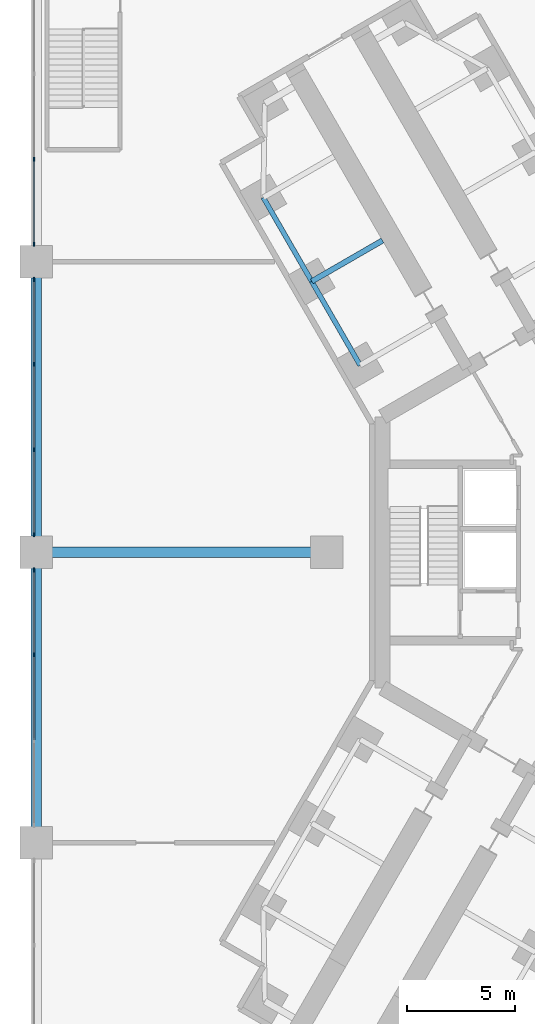
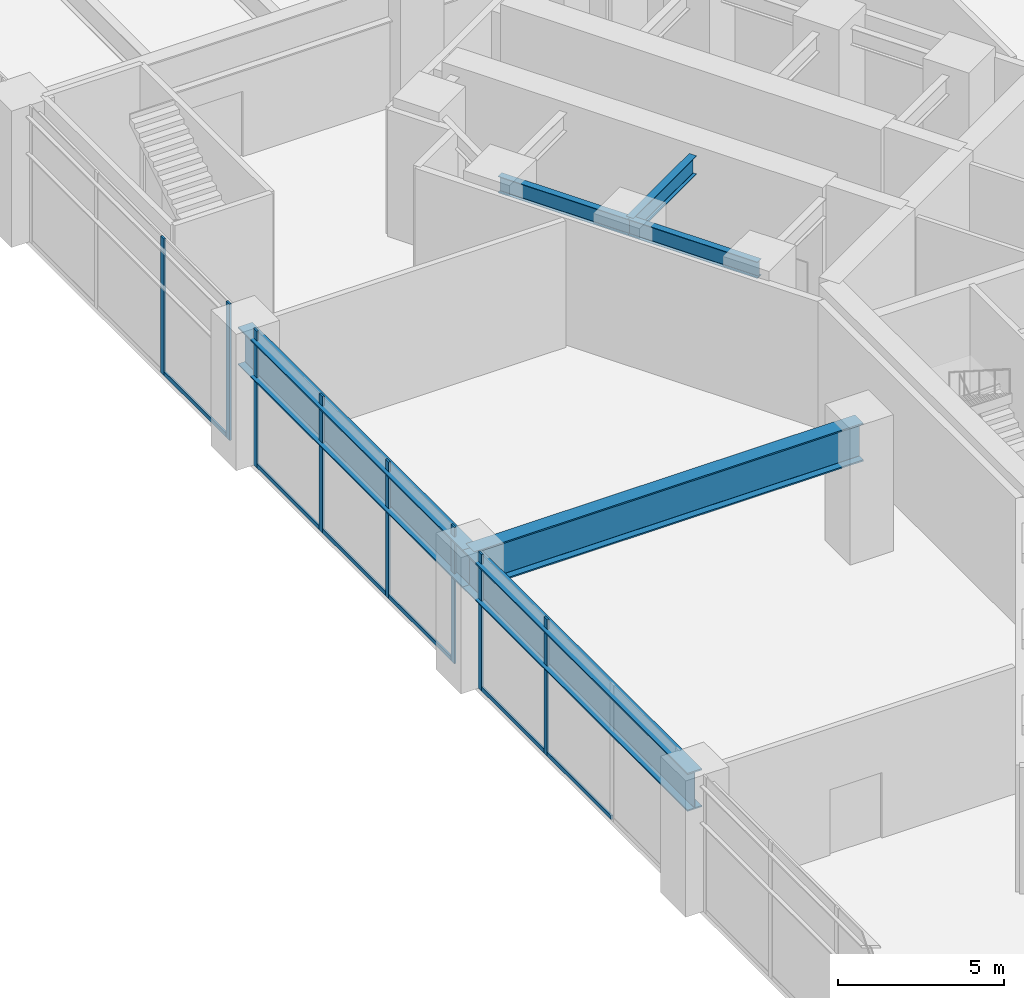
# One storey, part 6 of 32: 14 members, 6 beams, 3 elements without a shape of their own.
"""IFC4 building model written with IfcOpenShell, lengths in metres."""

from ifc_helpers import new_model, si_unit, direction, frame, origin, origin_2d, place, context, subcontext, project, spatial, rectangle, i_section, extrude, material, material_profile, profile_set, type_object, element, aggregate, save


model = new_model("IFC4")

# Units and contexts
model_context = context("Model", 3, precision=1e-05, world=origin(), true_north=direction((0.0, 1.0)))
body_context = subcontext(model_context, "Body", "Model", "MODEL_VIEW")
ifc_project = project(units=[si_unit("LENGTHUNIT", "METRE"), si_unit("AREAUNIT", "SQUARE_METRE"), si_unit("VOLUMEUNIT", "CUBIC_METRE"), si_unit("PLANEANGLEUNIT", "RADIAN"), si_unit("MASSUNIT", "GRAM", prefix="KILO")], contexts=[model_context])

# Site, building, storey
site_placement = place(None, origin())
site = spatial("IfcSite", under=ifc_project, at=site_placement, CompositionType="ELEMENT")
building_placement = place(site_placement, origin())
building = spatial("IfcBuilding", under=site, at=building_placement, Name="Upepo Twin Towers", CompositionType="ELEMENT")
storey_placement = place(building_placement, frame((0.0, 0.0, 5.5)))
storey = spatial("IfcBuildingStorey", under=building, at=storey_placement, Name="L01", CompositionType="ELEMENT", Elevation=5.5)

# Beams
ifc_material_1 = material(Name="Steel S355", Category="steel")
ifc_material_profile_1 = material_profile(ifc_material_1, i_section(OverallWidth=0.5, OverallDepth=1.39990234375, WebThickness=0.02490234375, FlangeThickness=0.050048828125, FilletRadius=0.008056640625, at=origin_2d()), Name="PG 1400x500x25x50")
ifc_profile_set_1 = profile_set([ifc_material_profile_1], Name="Steel S355")
beam_type_1 = type_object("IfcBeamType", Name="Beam PG 1400x500x25x50", PredefinedType="BEAM", material=ifc_profile_set_1)
for number, where, z_axis, x_axis, name in (
    (1, (-27.0, 0.0, 3.949951171875), (1.0, 0.0, 0.0), (0.0, 1.0, 0.0), "Podium girder D/1-2"),
    (2, (-27.0, -13.5, 3.949951171875), (0.0, 1.0, 0.0), (-1.0, 0.0, 0.0), "Podium girder 1/C-D"),
    (3, (-27.0, 0.0, 3.949951171875), (0.0, 1.0, 0.0), (-1.0, 0.0, 0.0), "Podium girder 1/D-E"),
):
    element("IfcBeam", number, at=place(storey_placement, frame(where, z_axis=z_axis, x_axis=x_axis)), inside=storey, type_object=beam_type_1, Name=name, PredefinedType="BEAM", context=body_context, shape_type="SweptSolid", body=[
        extrude(i_section(OverallWidth=0.5, OverallDepth=1.39990234375, WebThickness=0.02490234375, FlangeThickness=0.050048828125, FilletRadius=0.008056640625, at=origin_2d()), origin(), (0.0, 0.0, 1.0), 13.5),
    ])
ifc_material_2 = material(Name="Steel S355", Category="steel")
ifc_material_profile_2 = material_profile(ifc_material_2, i_section(OverallWidth=0.228271484375, OverallDepth=0.607666015625, WebThickness=0.010986328125, FlangeThickness=0.017333984375, FilletRadius=0.0126953125, at=origin_2d()), Name="UB 610x229x113")
ifc_profile_set_2 = profile_set([ifc_material_profile_2], Name="Steel S355")
beam_type_2 = type_object("IfcBeamType", Name="Beam UB 610x229x113", PredefinedType="BEAM", material=ifc_profile_set_2)
beam_1_placement = place(storey_placement, frame((-11.946044921875, 8.69140625, 4.34619140625), z_axis=(-0.500013631625, 0.866017533419, 0.0), x_axis=(-0.866017533419, -0.500013631625, 0.0)))
element("IfcBeam", 4, at=beam_1_placement, inside=storey, type_object=beam_type_2, Name="T1 edge beam BL 13.5-18.0", PredefinedType="BEAM", context=body_context, shape_type="SweptSolid", body=[
    extrude(i_section(OverallWidth=0.228271484375, OverallDepth=0.607666015625, WebThickness=0.010986328125, FlangeThickness=0.017333984375, FilletRadius=0.0126953125, at=origin_2d()), origin(), (0.0, 0.0, 1.0), 4.499755859375),
])
beam_2_placement = place(storey_placement, frame((-14.196044921875, 12.58837890625, 4.34619140625), z_axis=(-0.499990139034, 0.866031096941, 0.0), x_axis=(-0.866031096941, -0.499990139034, 0.0)))
element("IfcBeam", 5, at=beam_2_placement, inside=storey, type_object=beam_type_2, Name="T1 edge beam BL 18.0-22.5", PredefinedType="BEAM", context=body_context, shape_type="SweptSolid", body=[
    extrude(i_section(OverallWidth=0.228271484375, OverallDepth=0.607666015625, WebThickness=0.010986328125, FlangeThickness=0.017333984375, FilletRadius=0.0126953125, at=origin_2d()), origin(), (0.0, 0.0, 1.0), 4.5),
])
ifc_material_3 = material(Name="Steel S355", Category="steel")
ifc_material_profile_3 = material_profile(ifc_material_3, i_section(OverallWidth=0.253662109375, OverallDepth=0.68359375, WebThickness=0.012451171875, FlangeThickness=0.01904296875, FilletRadius=0.01513671875, at=origin_2d()), Name="UB 686x254x140")
ifc_profile_set_3 = profile_set([ifc_material_profile_3], Name="Steel S355")
beam_type_3 = type_object("IfcBeamType", Name="Beam UB 686x254x140", PredefinedType="BEAM", material=ifc_profile_set_3)
beam_3_placement = place(storey_placement, frame((-14.196044921875, 12.58837890625, 4.308349609375), z_axis=(0.866000483506, 0.500043160704, 0.0), x_axis=(-0.500043160704, 0.866000483506, 0.0)))
element("IfcBeam", 6, at=beam_3_placement, inside=storey, type_object=beam_type_3, Name="T1 girder BL at 18.0", PredefinedType="BEAM", context=body_context, shape_type="SweptSolid", body=[
    extrude(i_section(OverallWidth=0.253662109375, OverallDepth=0.68359375, WebThickness=0.012451171875, FlangeThickness=0.01904296875, FilletRadius=0.01513671875, at=origin_2d()), origin(), (0.0, 0.0, 1.0), 3.800048828125),
])

# Curtain wall, members
ifc_material_4 = material(Name="Aluminium and clear glass", Category="aluminium")
curtain_wall_type = type_object("IfcCurtainWallType", Name="Podium curtain wall PW1", PredefinedType="NOTDEFINED", material=ifc_material_4)
curtain_wall_1_placement = place(storey_placement, origin())
curtain_wall_1 = element("IfcCurtainWall", 7, at=curtain_wall_1_placement, inside=storey, type_object=curtain_wall_type, Name="Podium L01 curtain wall W2", PredefinedType="NOTDEFINED")
ifc_material_5 = material(Name="Aluminium mullion", Category="aluminium")
ifc_material_profile_4 = material_profile(ifc_material_5, rectangle(XDim=0.06494140625, YDim=0.199951171875, at=origin_2d()), Name="MULLION 65x200 PODIUM")
ifc_profile_set_4 = profile_set([ifc_material_profile_4], Name="Aluminium mullion")
member_type_1 = type_object("IfcMemberType", Name="Mullion 65x200 PW1", PredefinedType="MULLION", material=ifc_profile_set_4)
member_1_placement = place(storey_placement, frame((-27.10009765625, 18.26171875, 0.0), z_axis=(0.0, 0.0, 1.0), x_axis=(1.0, 0.0, 0.0)))
member_1 = element("IfcMember", 8, at=member_1_placement, type_object=member_type_1, Name="Podium L01 curtain wall W2 mullion 3", PredefinedType="MULLION", context=body_context, shape_type="SweptSolid", body=[
    extrude(rectangle(XDim=0.06494140625, YDim=0.199951171875, at=origin_2d()), origin(), (0.0, 0.0, 1.0), 5.0),
])
member_2_placement = place(storey_placement, frame((-27.10009765625, 14.3173828125, 0.0), z_axis=(0.0, 0.0, 1.0), x_axis=(1.0, 0.0, 0.0)))
member_2 = element("IfcMember", 9, at=member_2_placement, type_object=member_type_1, Name="Podium L01 curtain wall W2 mullion 4", PredefinedType="MULLION", context=body_context, shape_type="SweptSolid", body=[
    extrude(rectangle(XDim=0.06494140625, YDim=0.199951171875, at=origin_2d()), origin(), (0.0, 0.0, 1.0), 5.0),
])

curtain_wall_2_placement = place(storey_placement, origin())
curtain_wall_2 = element("IfcCurtainWall", 10, at=curtain_wall_2_placement, inside=storey, type_object=curtain_wall_type, Name="Podium L01 curtain wall W3", PredefinedType="NOTDEFINED")
member_3_placement = place(storey_placement, frame((-27.10009765625, 12.6826171875, 0.0), z_axis=(0.0, 0.0, 1.0), x_axis=(1.0, 0.0, 0.0)))
member_3 = element("IfcMember", 11, at=member_3_placement, type_object=member_type_1, Name="Podium L01 curtain wall W3 mullion 1", PredefinedType="MULLION", context=body_context, shape_type="SweptSolid", body=[
    extrude(rectangle(XDim=0.06494140625, YDim=0.199951171875, at=origin_2d()), origin(), (0.0, 0.0, 1.0), 5.0),
])
member_4_placement = place(storey_placement, frame((-27.10009765625, 8.73828125, 0.0), z_axis=(0.0, 0.0, 1.0), x_axis=(1.0, 0.0, 0.0)))
member_4 = element("IfcMember", 12, at=member_4_placement, type_object=member_type_1, Name="Podium L01 curtain wall W3 mullion 2", PredefinedType="MULLION", context=body_context, shape_type="SweptSolid", body=[
    extrude(rectangle(XDim=0.06494140625, YDim=0.199951171875, at=origin_2d()), origin(), (0.0, 0.0, 1.0), 5.0),
])
member_5_placement = place(storey_placement, frame((-27.10009765625, 4.76171875, 0.0), z_axis=(0.0, 0.0, 1.0), x_axis=(1.0, 0.0, 0.0)))
member_5 = element("IfcMember", 13, at=member_5_placement, type_object=member_type_1, Name="Podium L01 curtain wall W3 mullion 3", PredefinedType="MULLION", context=body_context, shape_type="SweptSolid", body=[
    extrude(rectangle(XDim=0.06494140625, YDim=0.199951171875, at=origin_2d()), origin(), (0.0, 0.0, 1.0), 5.0),
])
member_6_placement = place(storey_placement, frame((-27.10009765625, 0.8173828125, 0.0), z_axis=(0.0, 0.0, 1.0), x_axis=(1.0, 0.0, 0.0)))
member_6 = element("IfcMember", 14, at=member_6_placement, type_object=member_type_1, Name="Podium L01 curtain wall W3 mullion 4", PredefinedType="MULLION", context=body_context, shape_type="SweptSolid", body=[
    extrude(rectangle(XDim=0.06494140625, YDim=0.199951171875, at=origin_2d()), origin(), (0.0, 0.0, 1.0), 5.0),
])

curtain_wall_3_placement = place(storey_placement, origin())
curtain_wall_3 = element("IfcCurtainWall", 15, at=curtain_wall_3_placement, inside=storey, type_object=curtain_wall_type, Name="Podium L01 curtain wall W4", PredefinedType="NOTDEFINED")
member_7_placement = place(storey_placement, frame((-27.10009765625, -0.8173828125, 0.0), z_axis=(0.0, 0.0, 1.0), x_axis=(1.0, 0.0, 0.0)))
member_7 = element("IfcMember", 16, at=member_7_placement, type_object=member_type_1, Name="Podium L01 curtain wall W4 mullion 1", PredefinedType="MULLION", context=body_context, shape_type="SweptSolid", body=[
    extrude(rectangle(XDim=0.06494140625, YDim=0.199951171875, at=origin_2d()), origin(), (0.0, 0.0, 1.0), 5.0),
])
member_8_placement = place(storey_placement, frame((-27.10009765625, -4.76171875, 0.0), z_axis=(0.0, 0.0, 1.0), x_axis=(1.0, 0.0, 0.0)))
member_8 = element("IfcMember", 17, at=member_8_placement, type_object=member_type_1, Name="Podium L01 curtain wall W4 mullion 2", PredefinedType="MULLION", context=body_context, shape_type="SweptSolid", body=[
    extrude(rectangle(XDim=0.06494140625, YDim=0.199951171875, at=origin_2d()), origin(), (0.0, 0.0, 1.0), 5.0),
])

# Member
ifc_material_6 = material(Name="Aluminium transom", Category="aluminium")
ifc_material_profile_5 = material_profile(ifc_material_6, rectangle(XDim=0.06494140625, YDim=0.14990234375, at=origin_2d()), Name="TRANSOM 65x150 PODIUM")
ifc_profile_set_5 = profile_set([ifc_material_profile_5], Name="Aluminium transom")
member_type_2 = type_object("IfcMemberType", Name="Transom 65x150 PW1", PredefinedType="USERDEFINED", material=ifc_profile_set_5)
member_9_placement = place(storey_placement, frame((-27.10009765625, 18.229248046875, 0.074951171875), z_axis=(0.0, -1.0, 0.0), x_axis=(1.0, 0.0, 0.0)))
member_9 = element("IfcMember", 18, at=member_9_placement, type_object=member_type_2, Name="Podium L01 curtain wall W2 transom 3", ObjectType="TRANSOM", PredefinedType="USERDEFINED", context=body_context, shape_type="SweptSolid", body=[
    extrude(rectangle(XDim=0.06494140625, YDim=0.14990234375, at=origin_2d()), origin(), (0.0, 0.0, 1.0), 3.879150390625),
])

aggregate(curtain_wall_1, [member_1, member_2, member_9])

member_10_placement = place(storey_placement, frame((-27.10009765625, 12.64990234375, 0.074951171875), z_axis=(0.0, -1.0, 0.0), x_axis=(1.0, 0.0, 0.0)))
member_10 = element("IfcMember", 19, at=member_10_placement, type_object=member_type_2, Name="Podium L01 curtain wall W3 transom 1", ObjectType="TRANSOM", PredefinedType="USERDEFINED", context=body_context, shape_type="SweptSolid", body=[
    extrude(rectangle(XDim=0.06494140625, YDim=0.14990234375, at=origin_2d()), origin(), (0.0, 0.0, 1.0), 3.879150390625),
])

member_11_placement = place(storey_placement, frame((-27.10009765625, 8.705810546875, 0.074951171875), z_axis=(0.0, -1.0, 0.0), x_axis=(1.0, 0.0, 0.0)))
member_11 = element("IfcMember", 20, at=member_11_placement, type_object=member_type_2, Name="Podium L01 curtain wall W3 transom 2", ObjectType="TRANSOM", PredefinedType="USERDEFINED", context=body_context, shape_type="SweptSolid", body=[
    extrude(rectangle(XDim=0.06494140625, YDim=0.14990234375, at=origin_2d()), origin(), (0.0, 0.0, 1.0), 3.91162109375),
])

member_12_placement = place(storey_placement, frame((-27.10009765625, 4.729248046875, 0.074951171875), z_axis=(0.0, -1.0, 0.0), x_axis=(1.0, 0.0, 0.0)))
member_12 = element("IfcMember", 21, at=member_12_placement, type_object=member_type_2, Name="Podium L01 curtain wall W3 transom 3", ObjectType="TRANSOM", PredefinedType="USERDEFINED", context=body_context, shape_type="SweptSolid", body=[
    extrude(rectangle(XDim=0.06494140625, YDim=0.14990234375, at=origin_2d()), origin(), (0.0, 0.0, 1.0), 3.879150390625),
])

aggregate(curtain_wall_2, [member_3, member_4, member_5, member_6, member_10, member_11, member_12])

member_13_placement = place(storey_placement, frame((-27.10009765625, -0.85009765625, 0.074951171875), z_axis=(0.0, -1.0, 0.0), x_axis=(1.0, 0.0, 0.0)))
member_13 = element("IfcMember", 22, at=member_13_placement, type_object=member_type_2, Name="Podium L01 curtain wall W4 transom 1", ObjectType="TRANSOM", PredefinedType="USERDEFINED", context=body_context, shape_type="SweptSolid", body=[
    extrude(rectangle(XDim=0.06494140625, YDim=0.14990234375, at=origin_2d()), origin(), (0.0, 0.0, 1.0), 3.879150390625),
])

member_14_placement = place(storey_placement, frame((-27.10009765625, -4.794189453125, 0.074951171875), z_axis=(0.0, -1.0, 0.0), x_axis=(1.0, 0.0, 0.0)))
member_14 = element("IfcMember", 23, at=member_14_placement, type_object=member_type_2, Name="Podium L01 curtain wall W4 transom 2", ObjectType="TRANSOM", PredefinedType="USERDEFINED", context=body_context, shape_type="SweptSolid", body=[
    extrude(rectangle(XDim=0.06494140625, YDim=0.14990234375, at=origin_2d()), origin(), (0.0, 0.0, 1.0), 3.91162109375),
])

aggregate(curtain_wall_3, [member_7, member_8, member_13, member_14])

save(model, "model.ifc")
